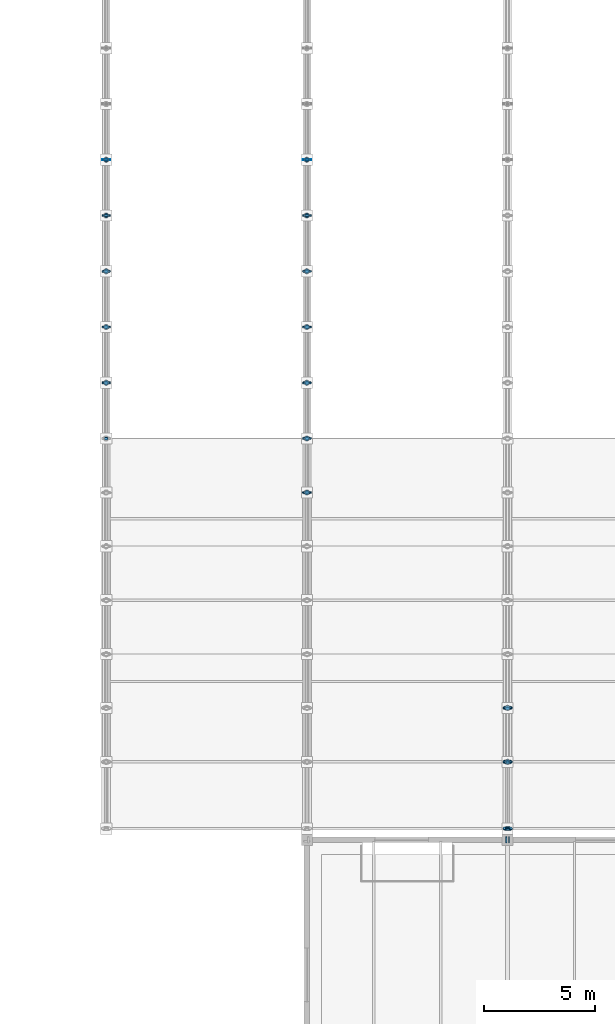
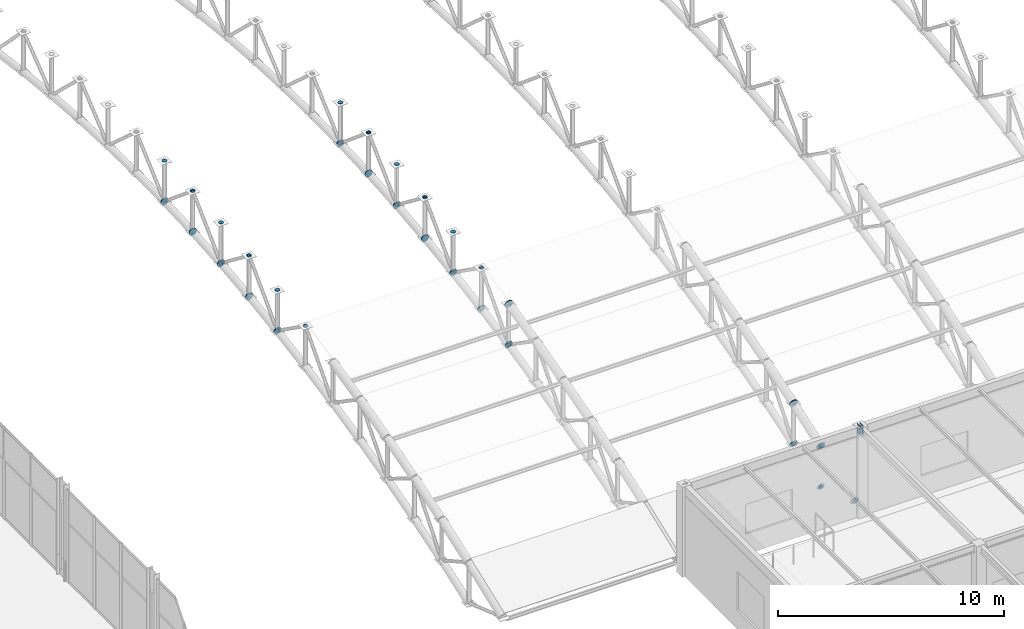
# One storey, part 146 of 195: 92 discrete accessories.
"""IFC4 building model written with IfcOpenShell, lengths in metres."""

from ifc_helpers import new_model, si_unit, direction, frame, origin, origin_2d, place, context, subcontext, project, spatial, rectangle, circle, extrude, material, element, save


model = new_model("IFC4")

# Units and contexts
model_context = context("Model", 3, precision=1e-05, world=origin(), true_north=direction((0.0, 1.0)))
body_context = subcontext(model_context, "Body", "Model", "MODEL_VIEW")
ifc_project = project(units=[si_unit("LENGTHUNIT", "METRE"), si_unit("AREAUNIT", "SQUARE_METRE"), si_unit("VOLUMEUNIT", "CUBIC_METRE"), si_unit("PLANEANGLEUNIT", "RADIAN"), si_unit("MASSUNIT", "GRAM", prefix="KILO")], contexts=[model_context])

# Site, building, storey
site_placement = place(None, origin())
site = spatial("IfcSite", under=ifc_project, at=site_placement, CompositionType="ELEMENT")
building_placement = place(site_placement, origin())
building = spatial("IfcBuilding", under=site, at=building_placement, Name="Marlcrest Central Station", CompositionType="ELEMENT")
storey_placement = place(building_placement, frame((0.0, 0.0, 9.800048828125)))
storey = spatial("IfcBuildingStorey", under=building, at=storey_placement, Name="L02", CompositionType="ELEMENT", Elevation=9.800048828125)

# Discrete accessories
ifc_material = material(Name="Steel S355", Category="steel")
for number, where, z_axis, x_axis, name in (
    (1, (161.9150390625, 33.0, 4.64501953125), (1.0, 0.0, 0.0), (0.0, 1.0, 0.0), "endcap-bm-SP-02-L02-00973-e"),
    (2, (162.045166015625, 33.0, 4.64501953125), (1.0, 0.0, 0.0), (0.0, 1.0, 0.0), "endcap-bm-SP-02-L02-00974-s"),
):
    element("IfcDiscreteAccessory", number, at=place(storey_placement, frame(where, z_axis=z_axis, x_axis=x_axis)), inside=storey, material=ifc_material, Name=name, ObjectType="END_CAP_PLATE", PredefinedType="BRACKET", context=body_context, shape_type="SweptSolid", body=[
        extrude(rectangle(XDim=0.26611328125, YDim=0.466064453125, at=origin_2d()), origin(), (0.0, 0.0, 1.0), 0.0400390625),
    ])
discrete_accessory_1_placement = place(storey_placement, frame((144.0, 53.475341796875, 3.826416015625), z_axis=(0.0, 0.98574109921, 0.168269086076), x_axis=(-1.0, 0.0, 0.0)))
element("IfcDiscreteAccessory", 3, at=discrete_accessory_1_placement, inside=storey, material=ifc_material, Name="endcap-mem-AC-02-L02-01117-e", ObjectType="END_CAP_PLATE", PredefinedType="BRACKET", context=body_context, shape_type="SweptSolid", body=[
    extrude(circle(Radius=0.185791015625, at=origin_2d()), origin(), (0.0, 0.0, 1.0), 0.0400390625),
])
for number, where, z_axis, x_axis, name in (
    (4, (144.0, 50.98779296875, 5.612548828125), (0.0, 0.815661132754, -0.57852996164), (-1.0, 0.0, 0.0), "endcap-mem-AD-01-L02-01119-s"),
    (5, (144.0, 53.4794921875, 3.844970703125), (0.0, 0.815661132754, -0.57852996164), (-1.0, 0.0, 0.0), "endcap-mem-AD-01-L02-01119-e"),
):
    element("IfcDiscreteAccessory", number, at=place(storey_placement, frame(where, z_axis=z_axis, x_axis=x_axis)), inside=storey, material=ifc_material, Name=name, ObjectType="END_CAP_PLATE", PredefinedType="BRACKET", context=body_context, shape_type="SweptSolid", body=[
        extrude(circle(Radius=0.092041015625, at=origin_2d()), origin(), (0.0, 0.0, 1.0), 0.0400390625),
    ])
for number, where, z_axis, x_axis, name in (
    (6, (144.0, 53.485107421875, 3.82861328125), (0.0, 0.990402740232, 0.138211476152), (-1.0, 0.0, 0.0), "endcap-mem-AC-02-L02-01121-s"),
    (7, (144.0, 55.975341796875, 4.176025390625), (0.0, 0.990402740232, 0.138211476152), (-1.0, 0.0, 0.0), "endcap-mem-AC-02-L02-01121-e"),
):
    element("IfcDiscreteAccessory", number, at=place(storey_placement, frame(where, z_axis=z_axis, x_axis=x_axis)), inside=storey, material=ifc_material, Name=name, ObjectType="END_CAP_PLATE", PredefinedType="BRACKET", context=body_context, shape_type="SweptSolid", body=[
        extrude(circle(Radius=0.185791015625, at=origin_2d()), origin(), (0.0, 0.0, 1.0), 0.0400390625),
    ])
for number, where, z_axis, x_axis, name in (
    (8, (144.0, 53.5, 3.815673828125), (0.0, 0.0, 1.0), (1.0, 0.0, 0.0), "endcap-mem-AP-01-L02-01122-s"),
    (9, (144.0, 53.5, 6.005615234375), (0.0, 0.0, 1.0), (1.0, 0.0, 0.0), "endcap-mem-AP-01-L02-01122-e"),
):
    element("IfcDiscreteAccessory", number, at=place(storey_placement, frame(where, z_axis=z_axis, x_axis=x_axis)), inside=storey, material=ifc_material, Name=name, ObjectType="END_CAP_PLATE", PredefinedType="BRACKET", context=body_context, shape_type="SweptSolid", body=[
        extrude(circle(Radius=0.117431640625, at=origin_2d()), origin(), (0.0, 0.0, 1.0), 0.0400390625),
    ])
for number, where, z_axis, x_axis, name in (
    (10, (144.0, 53.489501953125, 3.81982421875), (0.0, 0.70023547796, 0.713911952139), (-1.0, 0.0, 0.0), "endcap-mem-AD-01-L02-01123-s"),
    (11, (144.0, 55.982421875, 6.361572265625), (0.0, 0.70023547796, 0.713911952139), (-1.0, 0.0, 0.0), "endcap-mem-AD-01-L02-01123-e"),
):
    element("IfcDiscreteAccessory", number, at=place(storey_placement, frame(where, z_axis=z_axis, x_axis=x_axis)), inside=storey, material=ifc_material, Name=name, ObjectType="END_CAP_PLATE", PredefinedType="BRACKET", context=body_context, shape_type="SweptSolid", body=[
        extrude(circle(Radius=0.092041015625, at=origin_2d()), origin(), (0.0, 0.0, 1.0), 0.0400390625),
    ])
for number, where, z_axis, x_axis, name in (
    (12, (144.0, 55.985107421875, 4.177734375), (0.0, 0.994155341034, 0.107959056565), (-1.0, 0.0, 0.0), "endcap-mem-AC-02-L02-01125-s"),
    (13, (144.0, 58.47509765625, 4.4482421875), (0.0, 0.994155341034, 0.107959056565), (-1.0, 0.0, 0.0), "endcap-mem-AC-02-L02-01125-e"),
):
    element("IfcDiscreteAccessory", number, at=place(storey_placement, frame(where, z_axis=z_axis, x_axis=x_axis)), inside=storey, material=ifc_material, Name=name, ObjectType="END_CAP_PLATE", PredefinedType="BRACKET", context=body_context, shape_type="SweptSolid", body=[
        extrude(circle(Radius=0.185791015625, at=origin_2d()), origin(), (0.0, 0.0, 1.0), 0.0400390625),
    ])
for number, where, z_axis, x_axis, name in (
    (14, (144.0, 56.0, 4.16455078125), (0.0, 0.0, 1.0), (1.0, 0.0, 0.0), "endcap-mem-AP-01-L02-01126-s"),
    (15, (144.0, 56.0, 6.3544921875), (0.0, 0.0, 1.0), (1.0, 0.0, 0.0), "endcap-mem-AP-01-L02-01126-e"),
):
    element("IfcDiscreteAccessory", number, at=place(storey_placement, frame(where, z_axis=z_axis, x_axis=x_axis)), inside=storey, material=ifc_material, Name=name, ObjectType="END_CAP_PLATE", PredefinedType="BRACKET", context=body_context, shape_type="SweptSolid", body=[
        extrude(circle(Radius=0.117431640625, at=origin_2d()), origin(), (0.0, 0.0, 1.0), 0.0400390625),
    ])
for number, where, z_axis, x_axis, name in (
    (16, (144.0, 55.988037109375, 6.388671875), (0.0, 0.791798282026, -0.610782678684), (-1.0, 0.0, 0.0), "endcap-mem-AD-01-L02-01127-s"),
    (17, (144.0, 58.480224609375, 4.46630859375), (0.0, 0.791798282026, -0.610782678684), (-1.0, 0.0, 0.0), "endcap-mem-AD-01-L02-01127-e"),
):
    element("IfcDiscreteAccessory", number, at=place(storey_placement, frame(where, z_axis=z_axis, x_axis=x_axis)), inside=storey, material=ifc_material, Name=name, ObjectType="END_CAP_PLATE", PredefinedType="BRACKET", context=body_context, shape_type="SweptSolid", body=[
        extrude(circle(Radius=0.092041015625, at=origin_2d()), origin(), (0.0, 0.0, 1.0), 0.0400390625),
    ])
for number, where, z_axis, x_axis, name in (
    (18, (144.0, 58.485107421875, 4.44970703125), (0.0, 0.997007334767, 0.077307014043), (-1.0, 0.0, 0.0), "endcap-mem-AC-02-L02-01129-s"),
    (19, (144.0, 60.97509765625, 4.642822265625), (0.0, 0.997007334767, 0.077307014043), (-1.0, 0.0, 0.0), "endcap-mem-AC-02-L02-01129-e"),
):
    element("IfcDiscreteAccessory", number, at=place(storey_placement, frame(where, z_axis=z_axis, x_axis=x_axis)), inside=storey, material=ifc_material, Name=name, ObjectType="END_CAP_PLATE", PredefinedType="BRACKET", context=body_context, shape_type="SweptSolid", body=[
        extrude(circle(Radius=0.185791015625, at=origin_2d()), origin(), (0.0, 0.0, 1.0), 0.0400390625),
    ])
for number, where, z_axis, x_axis, name in (
    (20, (144.0, 58.5, 4.43603515625), (0.0, 0.0, 1.0), (1.0, 0.0, 0.0), "endcap-mem-AP-01-L02-01130-s"),
    (21, (144.0, 58.5, 6.6259765625), (0.0, 0.0, 1.0), (1.0, 0.0, 0.0), "endcap-mem-AP-01-L02-01130-e"),
):
    element("IfcDiscreteAccessory", number, at=place(storey_placement, frame(where, z_axis=z_axis, x_axis=x_axis)), inside=storey, material=ifc_material, Name=name, ObjectType="END_CAP_PLATE", PredefinedType="BRACKET", context=body_context, shape_type="SweptSolid", body=[
        extrude(circle(Radius=0.117431640625, at=origin_2d()), origin(), (0.0, 0.0, 1.0), 0.0400390625),
    ])
for number, where, z_axis, x_axis, name in (
    (22, (144.0, 58.4892578125, 4.440673828125), (0.0, 0.722246537655, 0.691635698071), (-1.0, 0.0, 0.0), "endcap-mem-AD-01-L02-01131-s"),
    (23, (144.0, 60.98193359375, 6.82763671875), (0.0, 0.722246537655, 0.691635698071), (-1.0, 0.0, 0.0), "endcap-mem-AD-01-L02-01131-e"),
):
    element("IfcDiscreteAccessory", number, at=place(storey_placement, frame(where, z_axis=z_axis, x_axis=x_axis)), inside=storey, material=ifc_material, Name=name, ObjectType="END_CAP_PLATE", PredefinedType="BRACKET", context=body_context, shape_type="SweptSolid", body=[
        extrude(circle(Radius=0.092041015625, at=origin_2d()), origin(), (0.0, 0.0, 1.0), 0.0400390625),
    ])
for number, where, z_axis, x_axis, name in (
    (24, (144.0, 60.985107421875, 4.64404296875), (0.0, 0.998916819647, 0.046531574509), (-1.0, 0.0, 0.0), "endcap-mem-AC-02-L02-01133-s"),
    (25, (144.0, 63.47509765625, 4.760009765625), (0.0, 0.998916819647, 0.046531574509), (-1.0, 0.0, 0.0), "endcap-mem-AC-02-L02-01133-e"),
):
    element("IfcDiscreteAccessory", number, at=place(storey_placement, frame(where, z_axis=z_axis, x_axis=x_axis)), inside=storey, material=ifc_material, Name=name, ObjectType="END_CAP_PLATE", PredefinedType="BRACKET", context=body_context, shape_type="SweptSolid", body=[
        extrude(circle(Radius=0.185791015625, at=origin_2d()), origin(), (0.0, 0.0, 1.0), 0.0400390625),
    ])
for number, where, z_axis, x_axis, name in (
    (26, (144.0, 61.0, 4.6298828125), (0.0, 0.0, 1.0), (1.0, 0.0, 0.0), "endcap-mem-AP-01-L02-01134-s"),
    (27, (144.0, 61.0, 6.820068359375), (0.0, 0.0, 1.0), (1.0, 0.0, 0.0), "endcap-mem-AP-01-L02-01134-e"),
):
    element("IfcDiscreteAccessory", number, at=place(storey_placement, frame(where, z_axis=z_axis, x_axis=x_axis)), inside=storey, material=ifc_material, Name=name, ObjectType="END_CAP_PLATE", PredefinedType="BRACKET", context=body_context, shape_type="SweptSolid", body=[
        extrude(circle(Radius=0.117431640625, at=origin_2d()), origin(), (0.0, 0.0, 1.0), 0.0400390625),
    ])
for number, where, z_axis, x_axis, name in (
    (28, (144.0, 60.988525390625, 6.8544921875), (0.0, 0.768159787854, -0.640258182552), (-1.0, 0.0, 0.0), "endcap-mem-AD-01-L02-01135-s"),
    (29, (144.0, 63.480712890625, 4.77734375), (0.0, 0.768159787854, -0.640258182552), (-1.0, 0.0, 0.0), "endcap-mem-AD-01-L02-01135-e"),
):
    element("IfcDiscreteAccessory", number, at=place(storey_placement, frame(where, z_axis=z_axis, x_axis=x_axis)), inside=storey, material=ifc_material, Name=name, ObjectType="END_CAP_PLATE", PredefinedType="BRACKET", context=body_context, shape_type="SweptSolid", body=[
        extrude(circle(Radius=0.092041015625, at=origin_2d()), origin(), (0.0, 0.0, 1.0), 0.0400390625),
    ])
discrete_accessory_2_placement = place(storey_placement, frame((144.0, 63.485107421875, 4.760986328125), z_axis=(0.0, 0.999879472592, 0.01552547228), x_axis=(-1.0, 0.0, 0.0)))
element("IfcDiscreteAccessory", 30, at=discrete_accessory_2_placement, inside=storey, material=ifc_material, Name="endcap-mem-AC-02-L02-01137-s", ObjectType="END_CAP_PLATE", PredefinedType="BRACKET", context=body_context, shape_type="SweptSolid", body=[
    extrude(circle(Radius=0.185791015625, at=origin_2d()), origin(), (0.0, 0.0, 1.0), 0.0400390625),
])
for number, where, z_axis, x_axis, name in (
    (31, (144.0, 63.5, 4.746337890625), (0.0, 0.0, 1.0), (1.0, 0.0, 0.0), "endcap-mem-AP-01-L02-01138-s"),
    (32, (144.0, 63.5, 6.936279296875), (0.0, 0.0, 1.0), (1.0, 0.0, 0.0), "endcap-mem-AP-01-L02-01138-e"),
):
    element("IfcDiscreteAccessory", number, at=place(storey_placement, frame(where, z_axis=z_axis, x_axis=x_axis)), inside=storey, material=ifc_material, Name=name, ObjectType="END_CAP_PLATE", PredefinedType="BRACKET", context=body_context, shape_type="SweptSolid", body=[
        extrude(circle(Radius=0.117431640625, at=origin_2d()), origin(), (0.0, 0.0, 1.0), 0.0400390625),
    ])
discrete_accessory_3_placement = place(storey_placement, frame((144.0, 63.48876953125, 4.751220703125), z_axis=(0.0, 0.744955843007, 0.66711377738), x_axis=(-1.0, 0.0, 0.0)))
element("IfcDiscreteAccessory", 33, at=discrete_accessory_3_placement, inside=storey, material=ifc_material, Name="endcap-mem-AD-01-L02-01139-s", ObjectType="END_CAP_PLATE", PredefinedType="BRACKET", context=body_context, shape_type="SweptSolid", body=[
    extrude(circle(Radius=0.092041015625, at=origin_2d()), origin(), (0.0, 0.0, 1.0), 0.0400390625),
])
discrete_accessory_4_placement = place(storey_placement, frame((153.0, 48.5556640625, 5.111328125), z_axis=(0.0, 0.974329612642, 0.225126200004), x_axis=(-1.0, 0.0, 0.0)))
element("IfcDiscreteAccessory", 34, at=discrete_accessory_4_placement, inside=storey, material=ifc_material, Name="endcap-mem-AC-01-L02-01224-e", ObjectType="END_CAP_PLATE", PredefinedType="BRACKET", context=body_context, shape_type="SweptSolid", body=[
    extrude(circle(Radius=0.211181640625, at=origin_2d()), origin(), (0.0, 0.0, 1.0), 0.0400390625),
])
discrete_accessory_5_placement = place(storey_placement, frame((153.0, 48.5556640625, 2.911376953125), z_axis=(0.0, 0.974307959875, 0.225219891049), x_axis=(-1.0, 0.0, 0.0)))
element("IfcDiscreteAccessory", 35, at=discrete_accessory_5_placement, inside=storey, material=ifc_material, Name="endcap-mem-AC-02-L02-01225-e", ObjectType="END_CAP_PLATE", PredefinedType="BRACKET", context=body_context, shape_type="SweptSolid", body=[
    extrude(circle(Radius=0.185791015625, at=origin_2d()), origin(), (0.0, 0.0, 1.0), 0.0400390625),
])
discrete_accessory_6_placement = place(storey_placement, frame((153.0, 48.559326171875, 2.93115234375), z_axis=(0.0, 0.82626275624, -0.563284881432), x_axis=(-1.0, 0.0, 0.0)))
element("IfcDiscreteAccessory", 36, at=discrete_accessory_6_placement, inside=storey, material=ifc_material, Name="endcap-mem-AD-01-L02-01227-e", ObjectType="END_CAP_PLATE", PredefinedType="BRACKET", context=body_context, shape_type="SweptSolid", body=[
    extrude(circle(Radius=0.092041015625, at=origin_2d()), origin(), (0.0, 0.0, 1.0), 0.0400390625),
])
for number, where, z_axis, x_axis, name in (
    (37, (153.0, 48.5654296875, 2.9140625), (0.0, 0.980359417961, 0.197219196874), (-1.0, 0.0, 0.0), "endcap-mem-AC-02-L02-01229-s"),
    (38, (153.0, 50.9755859375, 3.39892578125), (0.0, 0.980359417961, 0.197219196874), (-1.0, 0.0, 0.0), "endcap-mem-AC-02-L02-01229-e"),
):
    element("IfcDiscreteAccessory", number, at=place(storey_placement, frame(where, z_axis=z_axis, x_axis=x_axis)), inside=storey, material=ifc_material, Name=name, ObjectType="END_CAP_PLATE", PredefinedType="BRACKET", context=body_context, shape_type="SweptSolid", body=[
        extrude(circle(Radius=0.185791015625, at=origin_2d()), origin(), (0.0, 0.0, 1.0), 0.0400390625),
    ])
for number, where, z_axis, x_axis, name in (
    (39, (153.0, 48.580078125, 2.902099609375), (0.0, 0.0, 1.0), (1.0, 0.0, 0.0), "endcap-mem-AP-01-L02-01230-s"),
    (40, (153.0, 48.580078125, 5.092041015625), (0.0, 0.0, 1.0), (1.0, 0.0, 0.0), "endcap-mem-AP-01-L02-01230-e"),
):
    element("IfcDiscreteAccessory", number, at=place(storey_placement, frame(where, z_axis=z_axis, x_axis=x_axis)), inside=storey, material=ifc_material, Name=name, ObjectType="END_CAP_PLATE", PredefinedType="BRACKET", context=body_context, shape_type="SweptSolid", body=[
        extrude(circle(Radius=0.117431640625, at=origin_2d()), origin(), (0.0, 0.0, 1.0), 0.0400390625),
    ])
for number, where, z_axis, x_axis, name in (
    (41, (153.0, 48.570068359375, 2.90576171875), (0.0, 0.669244457479, 0.743042297675), (-1.0, 0.0, 0.0), "endcap-mem-AD-01-L02-01231-s"),
    (42, (153.0, 50.983154296875, 5.585205078125), (0.0, 0.669244457479, 0.743042297675), (-1.0, 0.0, 0.0), "endcap-mem-AD-01-L02-01231-e"),
):
    element("IfcDiscreteAccessory", number, at=place(storey_placement, frame(where, z_axis=z_axis, x_axis=x_axis)), inside=storey, material=ifc_material, Name=name, ObjectType="END_CAP_PLATE", PredefinedType="BRACKET", context=body_context, shape_type="SweptSolid", body=[
        extrude(circle(Radius=0.092041015625, at=origin_2d()), origin(), (0.0, 0.0, 1.0), 0.0400390625),
    ])
for number, where, z_axis, x_axis, name in (
    (43, (153.0, 50.985107421875, 3.4013671875), (0.0, 0.98574109921, 0.168269086076), (-1.0, 0.0, 0.0), "endcap-mem-AC-02-L02-01233-s"),
    (44, (153.0, 53.475341796875, 3.826416015625), (0.0, 0.98574109921, 0.168269086076), (-1.0, 0.0, 0.0), "endcap-mem-AC-02-L02-01233-e"),
):
    element("IfcDiscreteAccessory", number, at=place(storey_placement, frame(where, z_axis=z_axis, x_axis=x_axis)), inside=storey, material=ifc_material, Name=name, ObjectType="END_CAP_PLATE", PredefinedType="BRACKET", context=body_context, shape_type="SweptSolid", body=[
        extrude(circle(Radius=0.185791015625, at=origin_2d()), origin(), (0.0, 0.0, 1.0), 0.0400390625),
    ])
for number, where, z_axis, x_axis, name in (
    (45, (153.0, 51.0, 3.388916015625), (0.0, 0.0, 1.0), (1.0, 0.0, 0.0), "endcap-mem-AP-01-L02-01234-s"),
    (46, (153.0, 51.0, 5.578857421875), (0.0, 0.0, 1.0), (1.0, 0.0, 0.0), "endcap-mem-AP-01-L02-01234-e"),
):
    element("IfcDiscreteAccessory", number, at=place(storey_placement, frame(where, z_axis=z_axis, x_axis=x_axis)), inside=storey, material=ifc_material, Name=name, ObjectType="END_CAP_PLATE", PredefinedType="BRACKET", context=body_context, shape_type="SweptSolid", body=[
        extrude(circle(Radius=0.117431640625, at=origin_2d()), origin(), (0.0, 0.0, 1.0), 0.0400390625),
    ])
for number, where, z_axis, x_axis, name in (
    (47, (153.0, 50.98779296875, 5.612548828125), (0.0, 0.815661132754, -0.57852996164), (-1.0, 0.0, 0.0), "endcap-mem-AD-01-L02-01235-s"),
    (48, (153.0, 53.4794921875, 3.844970703125), (0.0, 0.815661132754, -0.57852996164), (-1.0, 0.0, 0.0), "endcap-mem-AD-01-L02-01235-e"),
):
    element("IfcDiscreteAccessory", number, at=place(storey_placement, frame(where, z_axis=z_axis, x_axis=x_axis)), inside=storey, material=ifc_material, Name=name, ObjectType="END_CAP_PLATE", PredefinedType="BRACKET", context=body_context, shape_type="SweptSolid", body=[
        extrude(circle(Radius=0.092041015625, at=origin_2d()), origin(), (0.0, 0.0, 1.0), 0.0400390625),
    ])
for number, where, z_axis, x_axis, name in (
    (49, (153.0, 53.485107421875, 3.82861328125), (0.0, 0.990402740232, 0.138211476152), (-1.0, 0.0, 0.0), "endcap-mem-AC-02-L02-01237-s"),
    (50, (153.0, 55.975341796875, 4.176025390625), (0.0, 0.990402740232, 0.138211476152), (-1.0, 0.0, 0.0), "endcap-mem-AC-02-L02-01237-e"),
):
    element("IfcDiscreteAccessory", number, at=place(storey_placement, frame(where, z_axis=z_axis, x_axis=x_axis)), inside=storey, material=ifc_material, Name=name, ObjectType="END_CAP_PLATE", PredefinedType="BRACKET", context=body_context, shape_type="SweptSolid", body=[
        extrude(circle(Radius=0.185791015625, at=origin_2d()), origin(), (0.0, 0.0, 1.0), 0.0400390625),
    ])
for number, where, z_axis, x_axis, name in (
    (51, (153.0, 53.5, 3.815673828125), (0.0, 0.0, 1.0), (1.0, 0.0, 0.0), "endcap-mem-AP-01-L02-01238-s"),
    (52, (153.0, 53.5, 6.005615234375), (0.0, 0.0, 1.0), (1.0, 0.0, 0.0), "endcap-mem-AP-01-L02-01238-e"),
):
    element("IfcDiscreteAccessory", number, at=place(storey_placement, frame(where, z_axis=z_axis, x_axis=x_axis)), inside=storey, material=ifc_material, Name=name, ObjectType="END_CAP_PLATE", PredefinedType="BRACKET", context=body_context, shape_type="SweptSolid", body=[
        extrude(circle(Radius=0.117431640625, at=origin_2d()), origin(), (0.0, 0.0, 1.0), 0.0400390625),
    ])
for number, where, z_axis, x_axis, name in (
    (53, (153.0, 53.489501953125, 3.81982421875), (0.0, 0.70023547796, 0.713911952139), (-1.0, 0.0, 0.0), "endcap-mem-AD-01-L02-01239-s"),
    (54, (153.0, 55.982421875, 6.361572265625), (0.0, 0.70023547796, 0.713911952139), (-1.0, 0.0, 0.0), "endcap-mem-AD-01-L02-01239-e"),
):
    element("IfcDiscreteAccessory", number, at=place(storey_placement, frame(where, z_axis=z_axis, x_axis=x_axis)), inside=storey, material=ifc_material, Name=name, ObjectType="END_CAP_PLATE", PredefinedType="BRACKET", context=body_context, shape_type="SweptSolid", body=[
        extrude(circle(Radius=0.092041015625, at=origin_2d()), origin(), (0.0, 0.0, 1.0), 0.0400390625),
    ])
for number, where, z_axis, x_axis, name in (
    (55, (153.0, 55.985107421875, 4.177734375), (0.0, 0.994155341034, 0.107959056565), (-1.0, 0.0, 0.0), "endcap-mem-AC-02-L02-01241-s"),
    (56, (153.0, 58.47509765625, 4.4482421875), (0.0, 0.994155341034, 0.107959056565), (-1.0, 0.0, 0.0), "endcap-mem-AC-02-L02-01241-e"),
):
    element("IfcDiscreteAccessory", number, at=place(storey_placement, frame(where, z_axis=z_axis, x_axis=x_axis)), inside=storey, material=ifc_material, Name=name, ObjectType="END_CAP_PLATE", PredefinedType="BRACKET", context=body_context, shape_type="SweptSolid", body=[
        extrude(circle(Radius=0.185791015625, at=origin_2d()), origin(), (0.0, 0.0, 1.0), 0.0400390625),
    ])
for number, where, z_axis, x_axis, name in (
    (57, (153.0, 56.0, 4.16455078125), (0.0, 0.0, 1.0), (1.0, 0.0, 0.0), "endcap-mem-AP-01-L02-01242-s"),
    (58, (153.0, 56.0, 6.3544921875), (0.0, 0.0, 1.0), (1.0, 0.0, 0.0), "endcap-mem-AP-01-L02-01242-e"),
):
    element("IfcDiscreteAccessory", number, at=place(storey_placement, frame(where, z_axis=z_axis, x_axis=x_axis)), inside=storey, material=ifc_material, Name=name, ObjectType="END_CAP_PLATE", PredefinedType="BRACKET", context=body_context, shape_type="SweptSolid", body=[
        extrude(circle(Radius=0.117431640625, at=origin_2d()), origin(), (0.0, 0.0, 1.0), 0.0400390625),
    ])
for number, where, z_axis, x_axis, name in (
    (59, (153.0, 55.988037109375, 6.388671875), (0.0, 0.791798282026, -0.610782678684), (-1.0, 0.0, 0.0), "endcap-mem-AD-01-L02-01243-s"),
    (60, (153.0, 58.480224609375, 4.46630859375), (0.0, 0.791798282026, -0.610782678684), (-1.0, 0.0, 0.0), "endcap-mem-AD-01-L02-01243-e"),
):
    element("IfcDiscreteAccessory", number, at=place(storey_placement, frame(where, z_axis=z_axis, x_axis=x_axis)), inside=storey, material=ifc_material, Name=name, ObjectType="END_CAP_PLATE", PredefinedType="BRACKET", context=body_context, shape_type="SweptSolid", body=[
        extrude(circle(Radius=0.092041015625, at=origin_2d()), origin(), (0.0, 0.0, 1.0), 0.0400390625),
    ])
for number, where, z_axis, x_axis, name in (
    (61, (153.0, 58.485107421875, 4.44970703125), (0.0, 0.997007334767, 0.077307014043), (-1.0, 0.0, 0.0), "endcap-mem-AC-02-L02-01245-s"),
    (62, (153.0, 60.97509765625, 4.642822265625), (0.0, 0.997007334767, 0.077307014043), (-1.0, 0.0, 0.0), "endcap-mem-AC-02-L02-01245-e"),
):
    element("IfcDiscreteAccessory", number, at=place(storey_placement, frame(where, z_axis=z_axis, x_axis=x_axis)), inside=storey, material=ifc_material, Name=name, ObjectType="END_CAP_PLATE", PredefinedType="BRACKET", context=body_context, shape_type="SweptSolid", body=[
        extrude(circle(Radius=0.185791015625, at=origin_2d()), origin(), (0.0, 0.0, 1.0), 0.0400390625),
    ])
for number, where, z_axis, x_axis, name in (
    (63, (153.0, 58.5, 4.43603515625), (0.0, 0.0, 1.0), (1.0, 0.0, 0.0), "endcap-mem-AP-01-L02-01246-s"),
    (64, (153.0, 58.5, 6.6259765625), (0.0, 0.0, 1.0), (1.0, 0.0, 0.0), "endcap-mem-AP-01-L02-01246-e"),
):
    element("IfcDiscreteAccessory", number, at=place(storey_placement, frame(where, z_axis=z_axis, x_axis=x_axis)), inside=storey, material=ifc_material, Name=name, ObjectType="END_CAP_PLATE", PredefinedType="BRACKET", context=body_context, shape_type="SweptSolid", body=[
        extrude(circle(Radius=0.117431640625, at=origin_2d()), origin(), (0.0, 0.0, 1.0), 0.0400390625),
    ])
for number, where, z_axis, x_axis, name in (
    (65, (153.0, 58.4892578125, 4.440673828125), (0.0, 0.722246537655, 0.691635698071), (-1.0, 0.0, 0.0), "endcap-mem-AD-01-L02-01247-s"),
    (66, (153.0, 60.98193359375, 6.82763671875), (0.0, 0.722246537655, 0.691635698071), (-1.0, 0.0, 0.0), "endcap-mem-AD-01-L02-01247-e"),
):
    element("IfcDiscreteAccessory", number, at=place(storey_placement, frame(where, z_axis=z_axis, x_axis=x_axis)), inside=storey, material=ifc_material, Name=name, ObjectType="END_CAP_PLATE", PredefinedType="BRACKET", context=body_context, shape_type="SweptSolid", body=[
        extrude(circle(Radius=0.092041015625, at=origin_2d()), origin(), (0.0, 0.0, 1.0), 0.0400390625),
    ])
for number, where, z_axis, x_axis, name in (
    (67, (153.0, 60.985107421875, 4.64404296875), (0.0, 0.998916819647, 0.046531574509), (-1.0, 0.0, 0.0), "endcap-mem-AC-02-L02-01249-s"),
    (68, (153.0, 63.47509765625, 4.760009765625), (0.0, 0.998916819647, 0.046531574509), (-1.0, 0.0, 0.0), "endcap-mem-AC-02-L02-01249-e"),
):
    element("IfcDiscreteAccessory", number, at=place(storey_placement, frame(where, z_axis=z_axis, x_axis=x_axis)), inside=storey, material=ifc_material, Name=name, ObjectType="END_CAP_PLATE", PredefinedType="BRACKET", context=body_context, shape_type="SweptSolid", body=[
        extrude(circle(Radius=0.185791015625, at=origin_2d()), origin(), (0.0, 0.0, 1.0), 0.0400390625),
    ])
for number, where, z_axis, x_axis, name in (
    (69, (153.0, 61.0, 4.6298828125), (0.0, 0.0, 1.0), (1.0, 0.0, 0.0), "endcap-mem-AP-01-L02-01250-s"),
    (70, (153.0, 61.0, 6.820068359375), (0.0, 0.0, 1.0), (1.0, 0.0, 0.0), "endcap-mem-AP-01-L02-01250-e"),
):
    element("IfcDiscreteAccessory", number, at=place(storey_placement, frame(where, z_axis=z_axis, x_axis=x_axis)), inside=storey, material=ifc_material, Name=name, ObjectType="END_CAP_PLATE", PredefinedType="BRACKET", context=body_context, shape_type="SweptSolid", body=[
        extrude(circle(Radius=0.117431640625, at=origin_2d()), origin(), (0.0, 0.0, 1.0), 0.0400390625),
    ])
for number, where, z_axis, x_axis, name in (
    (71, (153.0, 60.988525390625, 6.8544921875), (0.0, 0.768159787854, -0.640258182552), (-1.0, 0.0, 0.0), "endcap-mem-AD-01-L02-01251-s"),
    (72, (153.0, 63.480712890625, 4.77734375), (0.0, 0.768159787854, -0.640258182552), (-1.0, 0.0, 0.0), "endcap-mem-AD-01-L02-01251-e"),
):
    element("IfcDiscreteAccessory", number, at=place(storey_placement, frame(where, z_axis=z_axis, x_axis=x_axis)), inside=storey, material=ifc_material, Name=name, ObjectType="END_CAP_PLATE", PredefinedType="BRACKET", context=body_context, shape_type="SweptSolid", body=[
        extrude(circle(Radius=0.092041015625, at=origin_2d()), origin(), (0.0, 0.0, 1.0), 0.0400390625),
    ])
discrete_accessory_7_placement = place(storey_placement, frame((153.0, 63.485107421875, 4.760986328125), z_axis=(0.0, 0.999879472592, 0.01552547228), x_axis=(-1.0, 0.0, 0.0)))
element("IfcDiscreteAccessory", 73, at=discrete_accessory_7_placement, inside=storey, material=ifc_material, Name="endcap-mem-AC-02-L02-01253-s", ObjectType="END_CAP_PLATE", PredefinedType="BRACKET", context=body_context, shape_type="SweptSolid", body=[
    extrude(circle(Radius=0.185791015625, at=origin_2d()), origin(), (0.0, 0.0, 1.0), 0.0400390625),
])
for number, where, z_axis, x_axis, name in (
    (74, (153.0, 63.5, 4.746337890625), (0.0, 0.0, 1.0), (1.0, 0.0, 0.0), "endcap-mem-AP-01-L02-01254-s"),
    (75, (153.0, 63.5, 6.936279296875), (0.0, 0.0, 1.0), (1.0, 0.0, 0.0), "endcap-mem-AP-01-L02-01254-e"),
):
    element("IfcDiscreteAccessory", number, at=place(storey_placement, frame(where, z_axis=z_axis, x_axis=x_axis)), inside=storey, material=ifc_material, Name=name, ObjectType="END_CAP_PLATE", PredefinedType="BRACKET", context=body_context, shape_type="SweptSolid", body=[
        extrude(circle(Radius=0.117431640625, at=origin_2d()), origin(), (0.0, 0.0, 1.0), 0.0400390625),
    ])
discrete_accessory_8_placement = place(storey_placement, frame((153.0, 63.48876953125, 4.751220703125), z_axis=(0.0, 0.744955843007, 0.66711377738), x_axis=(-1.0, 0.0, 0.0)))
element("IfcDiscreteAccessory", 76, at=discrete_accessory_8_placement, inside=storey, material=ifc_material, Name="endcap-mem-AD-01-L02-01255-s", ObjectType="END_CAP_PLATE", PredefinedType="BRACKET", context=body_context, shape_type="SweptSolid", body=[
    extrude(circle(Radius=0.092041015625, at=origin_2d()), origin(), (0.0, 0.0, 1.0), 0.0400390625),
])
for number, where, z_axis, x_axis, name in (
    (77, (162.0, 33.486083984375, 0.4404296875), (0.0, 0.933324071143, 0.359035065453), (-1.0, 0.0, 0.0), "endcap-mem-AC-01-L02-01322-s"),
    (78, (162.0, 36.4765625, 1.5908203125), (0.0, 0.933324071143, 0.359035065453), (-1.0, 0.0, 0.0), "endcap-mem-AC-01-L02-01322-e"),
):
    element("IfcDiscreteAccessory", number, at=place(storey_placement, frame(where, z_axis=z_axis, x_axis=x_axis)), inside=storey, material=ifc_material, Name=name, ObjectType="END_CAP_PLATE", PredefinedType="BRACKET", context=body_context, shape_type="SweptSolid", body=[
        extrude(circle(Radius=0.211181640625, at=origin_2d()), origin(), (0.0, 0.0, 1.0), 0.0400390625),
    ])
for number, where, z_axis, x_axis, name in (
    (79, (162.0, 36.51416015625, -0.60498046875), (0.0, -0.944260188635, 0.329200085296), (1.0, 0.0, 0.0), "endcap-mem-AD-01-L02-01323-s"),
    (80, (162.0, 33.523681640625, 0.4375), (0.0, -0.944260188635, 0.329200085296), (1.0, 0.0, 0.0), "endcap-mem-AD-01-L02-01323-e"),
):
    element("IfcDiscreteAccessory", number, at=place(storey_placement, frame(where, z_axis=z_axis, x_axis=x_axis)), inside=storey, material=ifc_material, Name=name, ObjectType="END_CAP_PLATE", PredefinedType="BRACKET", context=body_context, shape_type="SweptSolid", body=[
        extrude(circle(Radius=0.092041015625, at=origin_2d()), origin(), (0.0, 0.0, 1.0), 0.0400390625),
    ])
for number, where, z_axis, x_axis, name in (
    (81, (162.0, 36.48583984375, 1.594970703125), (0.0, 0.94353735649, 0.331266142109), (-1.0, 0.0, 0.0), "endcap-mem-AC-01-L02-01324-s"),
    (82, (162.0, 38.896240234375, 2.441162109375), (0.0, 0.94353735649, 0.331266142109), (-1.0, 0.0, 0.0), "endcap-mem-AC-01-L02-01324-e"),
):
    element("IfcDiscreteAccessory", number, at=place(storey_placement, frame(where, z_axis=z_axis, x_axis=x_axis)), inside=storey, material=ifc_material, Name=name, ObjectType="END_CAP_PLATE", PredefinedType="BRACKET", context=body_context, shape_type="SweptSolid", body=[
        extrude(circle(Radius=0.211181640625, at=origin_2d()), origin(), (0.0, 0.0, 1.0), 0.0400390625),
    ])
for number, where, z_axis, x_axis, name in (
    (83, (162.0, 36.48583984375, -0.60498046875), (0.0, 0.94353735649, 0.331266142109), (-1.0, 0.0, 0.0), "endcap-mem-AC-02-L02-01325-s"),
    (84, (162.0, 38.896240234375, 0.2412109375), (0.0, 0.94353735649, 0.331266142109), (-1.0, 0.0, 0.0), "endcap-mem-AC-02-L02-01325-e"),
):
    element("IfcDiscreteAccessory", number, at=place(storey_placement, frame(where, z_axis=z_axis, x_axis=x_axis)), inside=storey, material=ifc_material, Name=name, ObjectType="END_CAP_PLATE", PredefinedType="BRACKET", context=body_context, shape_type="SweptSolid", body=[
        extrude(circle(Radius=0.185791015625, at=origin_2d()), origin(), (0.0, 0.0, 1.0), 0.0400390625),
    ])
for number, where, z_axis, x_axis, name in (
    (85, (162.0, 36.5, -0.614990234375), (0.0, 0.0, 1.0), (1.0, 0.0, 0.0), "endcap-mem-AP-01-L02-01326-s"),
    (86, (162.0, 36.5, 1.574951171875), (0.0, 0.0, 1.0), (1.0, 0.0, 0.0), "endcap-mem-AP-01-L02-01326-e"),
):
    element("IfcDiscreteAccessory", number, at=place(storey_placement, frame(where, z_axis=z_axis, x_axis=x_axis)), inside=storey, material=ifc_material, Name=name, ObjectType="END_CAP_PLATE", PredefinedType="BRACKET", context=body_context, shape_type="SweptSolid", body=[
        extrude(circle(Radius=0.117431640625, at=origin_2d()), origin(), (0.0, 0.0, 1.0), 0.0400390625),
    ])
for number, where, z_axis, x_axis, name in (
    (87, (162.0, 36.48681640625, 1.607177734375), (0.0, 0.873245653167, -0.487280236851), (-1.0, 0.0, 0.0), "endcap-mem-AD-01-L02-01327-s"),
    (88, (162.0, 38.898193359375, 0.26171875), (0.0, 0.873245653167, -0.487280236851), (-1.0, 0.0, 0.0), "endcap-mem-AD-01-L02-01327-e"),
):
    element("IfcDiscreteAccessory", number, at=place(storey_placement, frame(where, z_axis=z_axis, x_axis=x_axis)), inside=storey, material=ifc_material, Name=name, ObjectType="END_CAP_PLATE", PredefinedType="BRACKET", context=body_context, shape_type="SweptSolid", body=[
        extrude(circle(Radius=0.092041015625, at=origin_2d()), origin(), (0.0, 0.0, 1.0), 0.0400390625),
    ])
discrete_accessory_9_placement = place(storey_placement, frame((162.0, 38.90576171875, 2.44482421875), z_axis=(0.0, 0.952116828449, 0.305734435391), x_axis=(-1.0, 0.0, 0.0)))
element("IfcDiscreteAccessory", 89, at=discrete_accessory_9_placement, inside=storey, material=ifc_material, Name="endcap-mem-AC-01-L02-01328-s", ObjectType="END_CAP_PLATE", PredefinedType="BRACKET", context=body_context, shape_type="SweptSolid", body=[
    extrude(circle(Radius=0.211181640625, at=origin_2d()), origin(), (0.0, 0.0, 1.0), 0.0400390625),
])
discrete_accessory_10_placement = place(storey_placement, frame((162.0, 38.90576171875, 0.244873046875), z_axis=(0.0, 0.952116828449, 0.305734435391), x_axis=(-1.0, 0.0, 0.0)))
element("IfcDiscreteAccessory", 90, at=discrete_accessory_10_placement, inside=storey, material=ifc_material, Name="endcap-mem-AC-02-L02-01329-s", ObjectType="END_CAP_PLATE", PredefinedType="BRACKET", context=body_context, shape_type="SweptSolid", body=[
    extrude(circle(Radius=0.185791015625, at=origin_2d()), origin(), (0.0, 0.0, 1.0), 0.0400390625),
])
for number, where, z_axis, x_axis, name in (
    (91, (162.0, 38.919921875, 0.234619140625), (0.0, 0.0, 1.0), (1.0, 0.0, 0.0), "endcap-mem-AP-01-L02-01330-s"),
    (92, (162.0, 38.919921875, 2.424560546875), (0.0, 0.0, 1.0), (1.0, 0.0, 0.0), "endcap-mem-AP-01-L02-01330-e"),
):
    element("IfcDiscreteAccessory", number, at=place(storey_placement, frame(where, z_axis=z_axis, x_axis=x_axis)), inside=storey, material=ifc_material, Name=name, ObjectType="END_CAP_PLATE", PredefinedType="BRACKET", context=body_context, shape_type="SweptSolid", body=[
        extrude(circle(Radius=0.117431640625, at=origin_2d()), origin(), (0.0, 0.0, 1.0), 0.0400390625),
    ])

save(model, "model.ifc")
